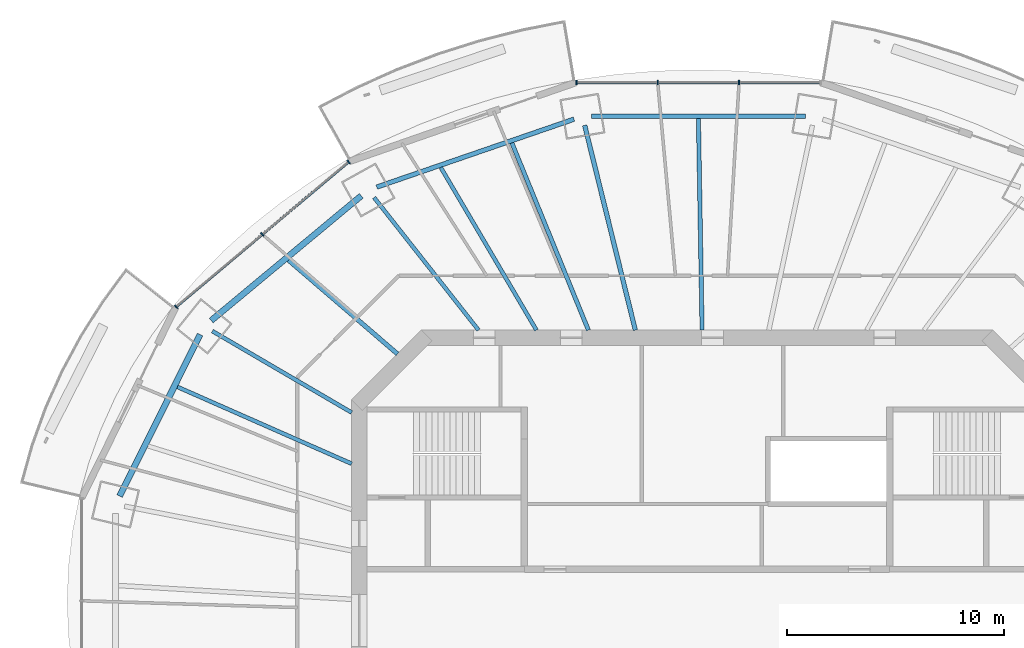
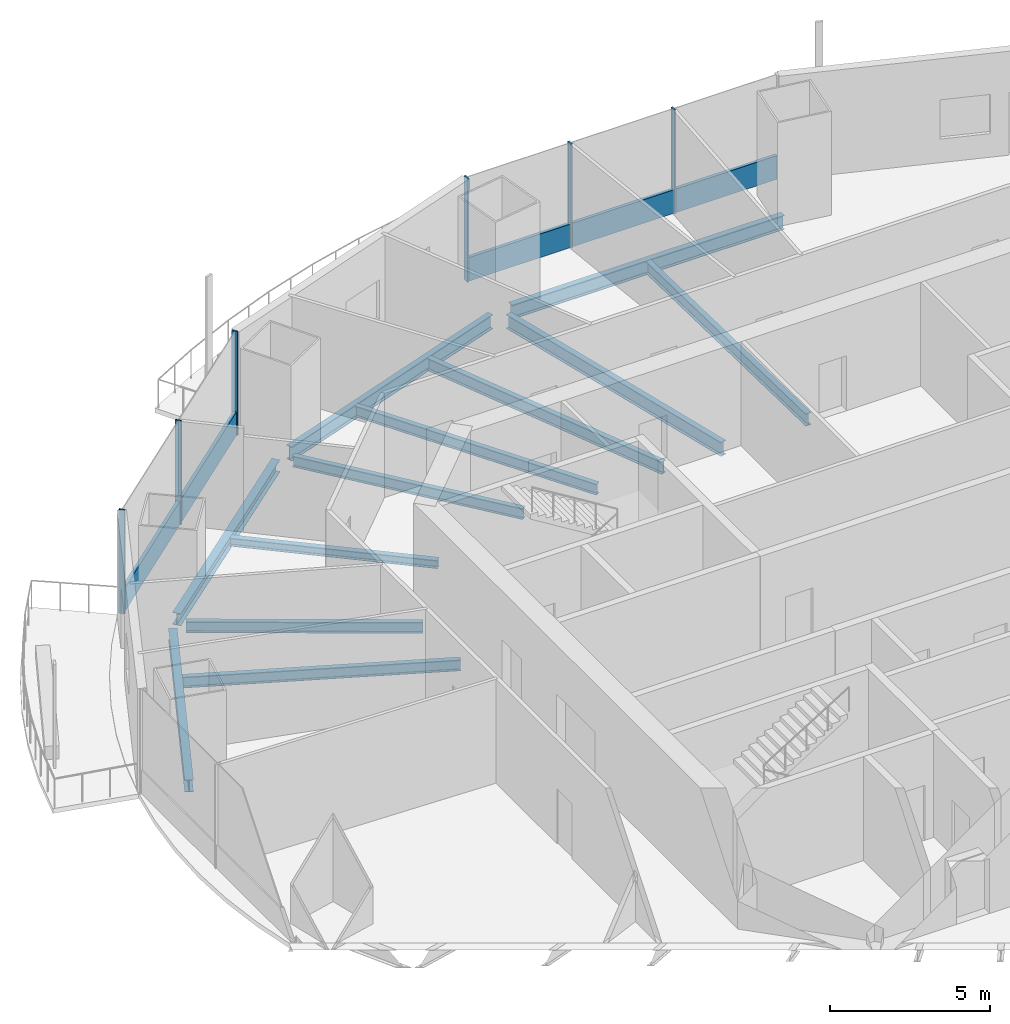
# One storey, part 5 of 16: 12 beams, 8 members, 2 elements without a shape of their own.
"""IFC4 building model written with IfcOpenShell, lengths in metres."""

from ifc_helpers import new_model, si_unit, direction, frame, origin, origin_2d, place, context, subcontext, project, spatial, rectangle, i_section, extrude, material, material_profile, profile_set, type_object, element, aggregate, save


model = new_model("IFC4")

# Units and contexts
model_context = context("Model", 3, precision=1e-05, world=origin(), true_north=direction((0.0, 1.0)))
body_context = subcontext(model_context, "Body", "Model", "MODEL_VIEW")
ifc_project = project(units=[si_unit("LENGTHUNIT", "METRE"), si_unit("AREAUNIT", "SQUARE_METRE"), si_unit("VOLUMEUNIT", "CUBIC_METRE"), si_unit("PLANEANGLEUNIT", "RADIAN"), si_unit("MASSUNIT", "GRAM", prefix="KILO")], contexts=[model_context])

# Site, building, storey
site_placement = place(None, origin())
site = spatial("IfcSite", under=ifc_project, at=site_placement, CompositionType="ELEMENT")
building_placement = place(site_placement, origin())
building = spatial("IfcBuilding", under=site, at=building_placement, Name="Marenthal Gate Tower", CompositionType="ELEMENT")
storey_placement = place(building_placement, frame((0.0, 0.0, 292.800048828125)))
storey = spatial("IfcBuildingStorey", under=building, at=storey_placement, Name="L65", CompositionType="ELEMENT", Elevation=292.800048828125)

# Curtain wall, members
ifc_material_1 = material(Name="Aluminium and glass", Category="aluminium")
curtain_wall_type = type_object("IfcCurtainWallType", Name="Curtain wall typical high", PredefinedType="NOTDEFINED", material=ifc_material_1)
curtain_wall_1_placement = place(storey_placement, origin())
curtain_wall_1 = element("IfcCurtainWall", 1, at=curtain_wall_1_placement, inside=storey, type_object=curtain_wall_type, Name="Curtain wall L65 bay 4", PredefinedType="NOTDEFINED")
ifc_material_2 = material(Name="Aluminium", Category="aluminium")
ifc_material_profile_1 = material_profile(ifc_material_2, rectangle(XDim=0.199951171875, YDim=0.06005859375, at=origin_2d()), Name="60x200 aluminium mullion")
ifc_profile_set_1 = profile_set([ifc_material_profile_1], Name="Aluminium")
member_type_1 = type_object("IfcMemberType", Name="Mullion 60x200 typical high", PredefinedType="MULLION", material=ifc_profile_set_1)
member_1_placement = place(storey_placement, frame((1.470458984375, 24.736083984375, 0.0), z_axis=(0.0, 0.0, 1.0), x_axis=(0.0, -1.0, 0.0)))
member_1 = element("IfcMember", 2, at=member_1_placement, type_object=member_type_1, Name="Mullion L65 bay 4.2", PredefinedType="MULLION", context=body_context, shape_type="SweptSolid", body=[
    extrude(rectangle(XDim=0.199951171875, YDim=0.06005859375, at=origin_2d()), origin(), (0.0, 0.0, 1.0), 3.969970703125),
])
member_2_placement = place(storey_placement, frame((-2.2705078125, 24.736083984375, 0.0), z_axis=(0.0, 0.0, 1.0), x_axis=(0.0, -1.0, 0.0)))
member_2 = element("IfcMember", 3, at=member_2_placement, type_object=member_type_1, Name="Mullion L65 bay 4.3", PredefinedType="MULLION", context=body_context, shape_type="SweptSolid", body=[
    extrude(rectangle(XDim=0.199951171875, YDim=0.06005859375, at=origin_2d()), origin(), (0.0, 0.0, 1.0), 3.969970703125),
])
member_3_placement = place(storey_placement, frame((-6.01171875, 24.736083984375, 0.0), z_axis=(0.0, 0.0, 1.0), x_axis=(0.0, -1.0, 0.0)))
member_3 = element("IfcMember", 4, at=member_3_placement, type_object=member_type_1, Name="Mullion L65 bay 4.4", PredefinedType="MULLION", context=body_context, shape_type="SweptSolid", body=[
    extrude(rectangle(XDim=0.199951171875, YDim=0.06005859375, at=origin_2d()), origin(), (0.0, 0.0, 1.0), 3.969970703125),
])

curtain_wall_2_placement = place(storey_placement, origin())
curtain_wall_2 = element("IfcCurtainWall", 5, at=curtain_wall_2_placement, inside=storey, type_object=curtain_wall_type, Name="Curtain wall L65 bay 6", PredefinedType="NOTDEFINED")
member_4_placement = place(storey_placement, frame((-16.489013671875, 21.087890625, 0.0), z_axis=(0.0, 0.0, 1.0), x_axis=(0.643380191367, -0.76554681722, 0.0)))
member_4 = element("IfcMember", 6, at=member_4_placement, type_object=member_type_1, Name="Mullion L65 bay 6.1", PredefinedType="MULLION", context=body_context, shape_type="SweptSolid", body=[
    extrude(rectangle(XDim=0.199951171875, YDim=0.06005859375, at=origin_2d()), origin(), (0.0, 0.0, 1.0), 3.969970703125),
])
member_5_placement = place(storey_placement, frame((-20.455078125, 17.754638671875, 0.0), z_axis=(0.0, 0.0, 1.0), x_axis=(0.643380191367, -0.76554681722, 0.0)))
member_5 = element("IfcMember", 7, at=member_5_placement, type_object=member_type_1, Name="Mullion L65 bay 6.2", PredefinedType="MULLION", context=body_context, shape_type="SweptSolid", body=[
    extrude(rectangle(XDim=0.199951171875, YDim=0.06005859375, at=origin_2d()), origin(), (0.0, 0.0, 1.0), 3.969970703125),
])
member_6_placement = place(storey_placement, frame((-24.42138671875, 14.42138671875, 0.0), z_axis=(0.0, 0.0, 1.0), x_axis=(0.643380191367, -0.76554681722, 0.0)))
member_6 = element("IfcMember", 8, at=member_6_placement, type_object=member_type_1, Name="Mullion L65 bay 6.3", PredefinedType="MULLION", context=body_context, shape_type="SweptSolid", body=[
    extrude(rectangle(XDim=0.199951171875, YDim=0.06005859375, at=origin_2d()), origin(), (0.0, 0.0, 1.0), 3.969970703125),
])

# Member
ifc_material_3 = material(Name="Aluminium", Category="aluminium")
ifc_material_profile_2 = material_profile(ifc_material_3, rectangle(XDim=0.1201171875, YDim=0.89990234375, at=origin_2d()), Name="120x900 aluminium transom")
ifc_profile_set_2 = profile_set([ifc_material_profile_2], Name="Aluminium")
member_type_2 = type_object("IfcMemberType", Name="Transom 120x900 typical high", PredefinedType="USERDEFINED", material=ifc_profile_set_2)
member_7_placement = place(storey_placement, frame((5.181640625, 24.736083984375, 0.449951171875), z_axis=(-1.0, 0.0, 0.0), x_axis=(0.0, -1.0, 0.0)))
member_7 = element("IfcMember", 9, at=member_7_placement, type_object=member_type_2, Name="Transom L65 bay 4", ObjectType="TRANSOM", PredefinedType="USERDEFINED", context=body_context, shape_type="SweptSolid", body=[
    extrude(rectangle(XDim=0.1201171875, YDim=0.89990234375, at=origin_2d()), origin(), (0.0, 0.0, 1.0), 11.163330078125),
])

aggregate(curtain_wall_1, [member_1, member_2, member_3, member_7])

member_8_placement = place(storey_placement, frame((-16.511962890625, 21.068603515625, 0.449951171875), z_axis=(-0.765547508353, -0.643379368999, 0.0), x_axis=(0.643379368999, -0.765547508353, 0.0)))
member_8 = element("IfcMember", 10, at=member_8_placement, type_object=member_type_2, Name="Transom L65 bay 6", ObjectType="TRANSOM", PredefinedType="USERDEFINED", context=body_context, shape_type="SweptSolid", body=[
    extrude(rectangle(XDim=0.1201171875, YDim=0.89990234375, at=origin_2d()), origin(), (0.0, 0.0, 1.0), 10.3017578125),
])

aggregate(curtain_wall_2, [member_4, member_5, member_6, member_8])

# Beams
ifc_material_4 = material(Name="Steel S355", Category="steel")
ifc_material_profile_3 = material_profile(ifc_material_4, i_section(OverallWidth=0.205078125, OverallDepth=0.31005859375, WebThickness=0.009521484375, FlangeThickness=0.016357421875, FilletRadius=0.0126953125, at=origin_2d()), Name="W310X74")
ifc_profile_set_3 = profile_set([ifc_material_profile_3], Name="Steel S355")
beam_type_1 = type_object("IfcBeamType", Name="W310X74 beam", PredefinedType="BEAM", material=ifc_profile_set_3)
beam_1_placement = place(storey_placement, frame((-19.252197265625, 16.566650390625, -0.3349609375), z_axis=(0.757988370944, -0.652268065686, 0.0), x_axis=(0.652268065686, 0.757988370944, 0.0)))
element("IfcBeam", 11, at=beam_1_placement, inside=storey, type_object=beam_type_1, Name="BM-L65-25", PredefinedType="BEAM", context=body_context, shape_type="SweptSolid", body=[
    extrude(i_section(OverallWidth=0.205078125, OverallDepth=0.31005859375, WebThickness=0.009521484375, FlangeThickness=0.016357421875, FilletRadius=0.0126953125, at=origin_2d()), origin(), (0.0, 0.0, 1.0), 6.611572265625),
])
ifc_material_5 = material(Name="Steel S355", Category="steel")
ifc_material_profile_4 = material_profile(ifc_material_5, i_section(OverallWidth=0.180908203125, OverallDepth=0.4169921875, WebThickness=0.010986328125, FlangeThickness=0.018310546875, FilletRadius=0.01025390625, at=origin_2d()), Name="W410X85")
ifc_profile_set_4 = profile_set([ifc_material_profile_4], Name="Steel S355")
beam_type_2 = type_object("IfcBeamType", Name="W410X85 beam", PredefinedType="BEAM", material=ifc_profile_set_4)
beam_2_placement = place(storey_placement, frame((-15.31787109375, 19.4501953125, -0.388427734375), z_axis=(0.618718192815, -0.785613007708, 0.0), x_axis=(0.785613007708, 0.618718192815, 0.0)))
element("IfcBeam", 12, at=beam_2_placement, inside=storey, type_object=beam_type_2, Name="BM-L65-06", PredefinedType="BEAM", context=body_context, shape_type="SweptSolid", body=[
    extrude(i_section(OverallWidth=0.180908203125, OverallDepth=0.4169921875, WebThickness=0.010986328125, FlangeThickness=0.018310546875, FilletRadius=0.01025390625, at=origin_2d()), origin(), (0.0, 0.0, 1.0), 7.7646484375),
])
beam_3_placement = place(storey_placement, frame((-22.7548828125, 13.304443359375, -0.388427734375), z_axis=(0.863265250165, -0.504750540226, 0.0), x_axis=(0.504750540226, 0.863265250165, 0.0)))
element("IfcBeam", 13, at=beam_3_placement, inside=storey, type_object=beam_type_2, Name="BM-L65-07", PredefinedType="BEAM", context=body_context, shape_type="SweptSolid", body=[
    extrude(i_section(OverallWidth=0.180908203125, OverallDepth=0.4169921875, WebThickness=0.010986328125, FlangeThickness=0.018310546875, FilletRadius=0.01025390625, at=origin_2d()), origin(), (0.0, 0.0, 1.0), 7.419189453125),
])
beam_4_placement = place(storey_placement, frame((-12.248291015625, 20.831298828125, -0.388427734375), z_axis=(0.506846770784, -0.862036165683, 0.0), x_axis=(0.862036165684, 0.506846770784, 0.0)))
element("IfcBeam", 14, at=beam_4_placement, inside=storey, type_object=beam_type_2, Name="BM-L65-24", PredefinedType="BEAM", context=body_context, shape_type="SweptSolid", body=[
    extrude(i_section(OverallWidth=0.180908203125, OverallDepth=0.4169921875, WebThickness=0.010986328125, FlangeThickness=0.018310546875, FilletRadius=0.01025390625, at=origin_2d()), origin(), (0.0, 0.0, 1.0), 8.678466796875),
])
beam_5_placement = place(storey_placement, frame((-24.363525390625, 10.737548828125, -0.388427734375), z_axis=(0.91506944586, -0.403296304537, 0.0), x_axis=(0.403296304537, 0.91506944586, 0.0)))
element("IfcBeam", 15, at=beam_5_placement, inside=storey, type_object=beam_type_2, Name="BM-L65-26", PredefinedType="BEAM", context=body_context, shape_type="SweptSolid", body=[
    extrude(i_section(OverallWidth=0.180908203125, OverallDepth=0.4169921875, WebThickness=0.010986328125, FlangeThickness=0.018310546875, FilletRadius=0.01025390625, at=origin_2d()), origin(), (0.0, 0.0, 1.0), 8.757080078125),
])
ifc_material_6 = material(Name="Steel S355", Category="steel")
ifc_material_profile_5 = material_profile(ifc_material_6, i_section(OverallWidth=0.279052734375, OverallDepth=0.4619140625, WebThickness=0.0107421875, FlangeThickness=0.017333984375, FilletRadius=0.010009765625, at=origin_2d()), Name="W460X113")
ifc_profile_set_5 = profile_set([ifc_material_profile_5], Name="Steel S355")
beam_type_3 = type_object("IfcBeamType", Name="W460X113 beam", PredefinedType="BEAM", material=ifc_profile_set_5)
beam_6_placement = place(storey_placement, frame((-15.907958984375, 19.527587890625, -0.4111328125), z_axis=(-0.769034611426, -0.639207138906, 0.0), x_axis=(0.639207138906, -0.769034611426, 0.0)))
element("IfcBeam", 16, at=beam_6_placement, inside=storey, type_object=beam_type_3, Name="BM-L65-46", PredefinedType="BEAM", context=body_context, shape_type="SweptSolid", body=[
    extrude(i_section(OverallWidth=0.279052734375, OverallDepth=0.4619140625, WebThickness=0.0107421875, FlangeThickness=0.017333984375, FilletRadius=0.010009765625, at=origin_2d()), origin(), (0.0, 0.0, 1.0), 8.9736328125),
])
beam_7_placement = place(storey_placement, frame((-23.318603515625, 13.147216796875, -0.4111328125), z_axis=(-0.446025836929, -0.895020085133, 0.0), x_axis=(0.895020085133, -0.446025836929, 0.0)))
element("IfcBeam", 17, at=beam_7_placement, inside=storey, type_object=beam_type_3, Name="BM-L65-47", PredefinedType="BEAM", context=body_context, shape_type="SweptSolid", body=[
    extrude(i_section(OverallWidth=0.279052734375, OverallDepth=0.4619140625, WebThickness=0.0107421875, FlangeThickness=0.017333984375, FilletRadius=0.010009765625, at=origin_2d()), origin(), (0.0, 0.0, 1.0), 8.306884765625),
])
ifc_material_7 = material(Name="Steel S355", Category="steel")
ifc_material_profile_6 = material_profile(ifc_material_7, i_section(OverallWidth=0.193115234375, OverallDepth=0.467041015625, WebThickness=0.011474609375, FlangeThickness=0.01904296875, FilletRadius=0.010009765625, at=origin_2d()), Name="W460X97")
ifc_profile_set_6 = profile_set([ifc_material_profile_6], Name="Steel S355")
beam_type_4 = type_object("IfcBeamType", Name="W460X97 beam", PredefinedType="BEAM", material=ifc_profile_set_6)
beam_8_placement = place(storey_placement, frame((-0.398193359375, 23.080322265625, -0.41357421875), z_axis=(0.017260005322, -0.999851035013, 0.0), x_axis=(0.999851035013, 0.017260005322, 0.0)))
element("IfcBeam", 18, at=beam_8_placement, inside=storey, type_object=beam_type_4, Name="BM-L65-22", PredefinedType="BEAM", context=body_context, shape_type="SweptSolid", body=[
    extrude(i_section(OverallWidth=0.193115234375, OverallDepth=0.467041015625, WebThickness=0.011474609375, FlangeThickness=0.01904296875, FilletRadius=0.010009765625, at=origin_2d()), origin(), (0.0, 0.0, 1.0), 9.731689453125),
])
beam_9_placement = place(storey_placement, frame((-8.97802734375, 21.95703125, -0.41357421875), z_axis=(0.378473355227, -0.925612186276, 0.0), x_axis=(0.925612186276, 0.378473355227, 0.0)))
element("IfcBeam", 19, at=beam_9_placement, inside=storey, type_object=beam_type_4, Name="BM-L65-23", PredefinedType="BEAM", context=body_context, shape_type="SweptSolid", body=[
    extrude(i_section(OverallWidth=0.193115234375, OverallDepth=0.467041015625, WebThickness=0.011474609375, FlangeThickness=0.01904296875, FilletRadius=0.010009765625, at=origin_2d()), origin(), (0.0, 0.0, 1.0), 9.298583984375),
])
ifc_material_8 = material(Name="Steel S355", Category="steel")
ifc_material_profile_7 = material_profile(ifc_material_8, i_section(OverallWidth=0.2099609375, OverallDepth=0.535888671875, WebThickness=0.010986328125, FlangeThickness=0.017333984375, FilletRadius=0.0126953125, at=origin_2d()), Name="W530X101")
ifc_profile_set_7 = profile_set([ifc_material_profile_7], Name="Steel S355")
beam_type_5 = type_object("IfcBeamType", Name="W530X101 beam", PredefinedType="BEAM", material=ifc_profile_set_7)
beam_10_placement = place(storey_placement, frame((-5.630615234375, 22.77099609375, -0.447998046875), z_axis=(0.240048718666, -0.970760842158, 0.0), x_axis=(0.970760842158, 0.240048718666, 0.0)))
element("IfcBeam", 20, at=beam_10_placement, inside=storey, type_object=beam_type_5, Name="BM-L65-05", PredefinedType="BEAM", context=body_context, shape_type="SweptSolid", body=[
    extrude(i_section(OverallWidth=0.2099609375, OverallDepth=0.535888671875, WebThickness=0.010986328125, FlangeThickness=0.017333984375, FilletRadius=0.0126953125, at=origin_2d()), origin(), (0.0, 0.0, 1.0), 9.70458984375),
])
ifc_material_9 = material(Name="Steel S355", Category="steel")
ifc_material_profile_8 = material_profile(ifc_material_9, i_section(OverallWidth=0.2119140625, OverallDepth=0.5439453125, WebThickness=0.01318359375, FlangeThickness=0.021240234375, FilletRadius=0.0126953125, at=origin_2d()), Name="W530X123")
ifc_profile_set_8 = profile_set([ifc_material_profile_8], Name="Steel S355")
beam_type_6 = type_object("IfcBeamType", Name="W530X123 beam", PredefinedType="BEAM", material=ifc_profile_set_8)
beam_11_placement = place(storey_placement, frame((4.521240234375, 23.186279296875, -0.4521484375), z_axis=(-1.0, 0.0, 0.0), x_axis=(0.0, -1.0, 0.0)))
element("IfcBeam", 21, at=beam_11_placement, inside=storey, type_object=beam_type_6, Name="BM-L65-44", PredefinedType="BEAM", context=body_context, shape_type="SweptSolid", body=[
    extrude(i_section(OverallWidth=0.2119140625, OverallDepth=0.5439453125, WebThickness=0.01318359375, FlangeThickness=0.021240234375, FilletRadius=0.0126953125, at=origin_2d()), origin(), (0.0, 0.0, 1.0), 9.842529296875),
])
beam_12_placement = place(storey_placement, frame((-6.123779296875, 23.052001953125, -0.4521484375), z_axis=(-0.945528342473, -0.325539788013, 0.0), x_axis=(0.325539788013, -0.945528342473, 0.0)))
element("IfcBeam", 22, at=beam_12_placement, inside=storey, type_object=beam_type_6, Name="BM-L65-45", PredefinedType="BEAM", context=body_context, shape_type="SweptSolid", body=[
    extrude(i_section(OverallWidth=0.2119140625, OverallDepth=0.5439453125, WebThickness=0.01318359375, FlangeThickness=0.021240234375, FilletRadius=0.0126953125, at=origin_2d()), origin(), (0.0, 0.0, 1.0), 9.595703125),
])

save(model, "model.ifc")
